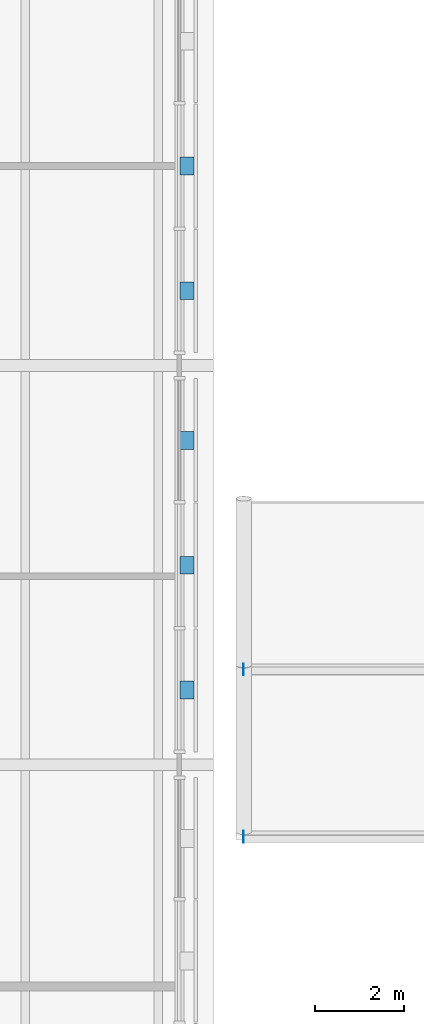
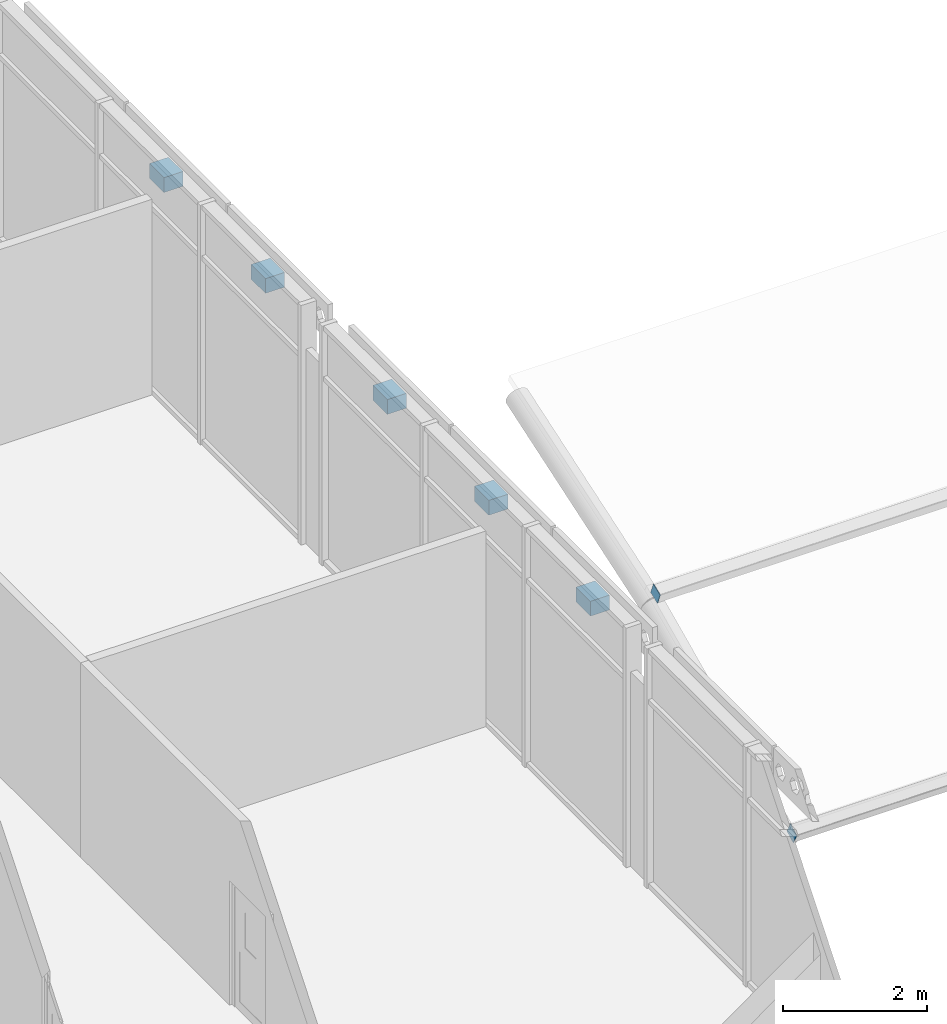
# One storey, part 30 of 54: 7 discrete accessories.
"""IFC4 building model written with IfcOpenShell, lengths in metres."""

from ifc_helpers import new_model, si_unit, direction, frame, origin, origin_2d, place, context, subcontext, project, spatial, rectangle, extrude, material, type_object, element, save


model = new_model("IFC4")

# Units and contexts
model_context = context("Model", 3, precision=1e-05, world=origin(), true_north=direction((0.0, 1.0)))
body_context = subcontext(model_context, "Body", "Model", "MODEL_VIEW")
ifc_project = project(units=[si_unit("LENGTHUNIT", "METRE"), si_unit("AREAUNIT", "SQUARE_METRE"), si_unit("VOLUMEUNIT", "CUBIC_METRE"), si_unit("PLANEANGLEUNIT", "RADIAN"), si_unit("MASSUNIT", "GRAM", prefix="KILO")], contexts=[model_context])

# Site, building, storey
site_placement = place(None, origin())
site = spatial("IfcSite", under=ifc_project, at=site_placement, CompositionType="ELEMENT")
building_placement = place(site_placement, origin())
building = spatial("IfcBuilding", under=site, at=building_placement, Name="Baradari Gate Terminus", CompositionType="ELEMENT")
storey_placement = place(building_placement, frame((0.0, 0.0, 15.89990234375)))
storey = spatial("IfcBuildingStorey", under=building, at=storey_placement, Name="L03", CompositionType="ELEMENT", Elevation=15.89990234375)

# Discrete accessories
ifc_material_1 = material(Name="Steel S355", Category="steel")
discrete_accessory_type_1 = type_object("IfcDiscreteAccessoryType", Name="Hollow section end plate EP-1 200x200x10", PredefinedType="ANCHORPLATE", material=ifc_material_1)
for number, where, z_axis, x_axis, name in (
    (1, (90.417724609375, 43.375244140625, 1.17138671875), (1.0, 0.0, 0.0), (0.0, 0.883026855482, 0.469322461106), "End plate EP-1 at the start of TR/L03/B99-PU02"),
    (2, (90.417724609375, 47.151611328125, 2.93359375), (1.0, 0.0, 0.0), (0.0, 0.928965199535, 0.370167067759), "End plate EP-1 at the start of TR/L03/B99-PU03"),
):
    element("IfcDiscreteAccessory", number, at=place(storey_placement, frame(where, z_axis=z_axis, x_axis=x_axis)), inside=storey, type_object=discrete_accessory_type_1, Name=name, PredefinedType="ANCHORPLATE", context=body_context, shape_type="SweptSolid", body=[
        extrude(rectangle(XDim=0.199951171875, YDim=0.199951171875, at=origin_2d()), origin(), (0.0, 0.0, 1.0), 0.010009765625),
    ])
ifc_material_2 = material(Name="Stainless steel 316", Category="steel")
discrete_accessory_type_2 = type_object("IfcDiscreteAccessoryType", Name="Jali screen bracket BK-2 stainless steel", PredefinedType="BRACKET", material=ifc_material_2)
for number, where, z_axis, x_axis, name in (
    (3, (89.1474609375, 46.686767578125, 3.455078125), (0.0, 0.0, 1.0), (1.0, 0.0, 0.0), "Jali screen bracket BK-2 L03/GE2 bay 1"),
    (4, (89.1474609375, 49.5, 3.455078125), (0.0, 0.0, 1.0), (1.0, 0.0, 0.0), "Jali screen bracket BK-2 L03/GE2 bay 2"),
    (5, (89.1474609375, 52.313232421875, 3.455078125), (0.0, 0.0, 1.0), (1.0, 0.0, 0.0), "Jali screen bracket BK-2 L03/GE2 bay 3"),
    (6, (89.1474609375, 55.686767578125, 3.455078125), (0.0, 0.0, 1.0), (1.0, 0.0, 0.0), "Jali screen bracket BK-2 L03/GE3 bay 1"),
    (7, (89.1474609375, 58.5, 3.455078125), (0.0, 0.0, 1.0), (1.0, 0.0, 0.0), "Jali screen bracket BK-2 L03/GE3 bay 2"),
):
    element("IfcDiscreteAccessory", number, at=place(storey_placement, frame(where, z_axis=z_axis, x_axis=x_axis)), inside=storey, type_object=discrete_accessory_type_2, Name=name, PredefinedType="BRACKET", context=body_context, shape_type="SweptSolid", body=[
        extrude(rectangle(XDim=0.304931640625, YDim=0.39990234375, at=origin_2d()), origin(), (0.0, 0.0, 1.0), 0.25),
    ])

save(model, "model.ifc")
